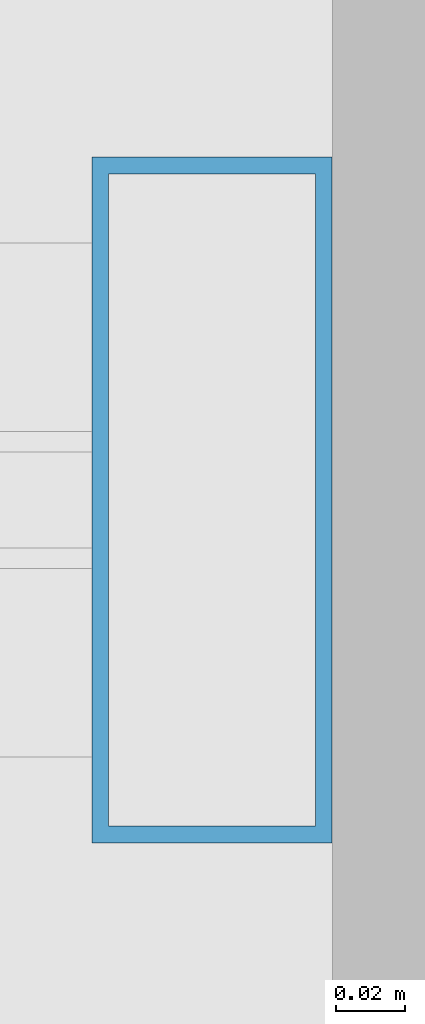
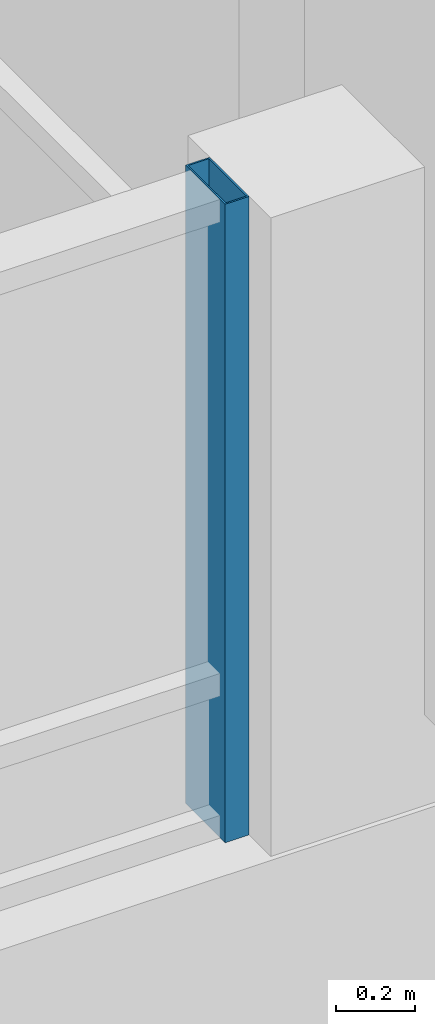
# One storey, part 61 of 189: 1 member, 1 element without a shape of its own.
"""IFC4 building model written with IfcOpenShell, lengths in metres."""

import ifcopenshell
import ifcopenshell.guid

model = None  # the IFC model being written
_history = None  # IfcOwnerHistory: only IFC2X3 demands one
_inside = {}  # id of a spatial element -> (the spatial element, [elements in it])
_under = {}  # id of a project, library or spatial element -> (it, [spatial elements below it])
_declared = {}  # id of a project -> (the project, [libraries it declares])
_typed = {}  # id of a type object -> (the type object, [elements of that type])
_made_of = {}  # id of a material, layer set ... -> (it, [elements and type objects made of it])


def new_model(schema):
    """Start an empty IFC model of exactly this schema.

    Asked for "IFC4X3", IfcOpenShell would pick the latest addendum, in which some entities
    have other attributes; the version numbers below select the first issue.
    IFC2X3 requires an IfcOwnerHistory on every rooted entity: one is made here for all.
    """
    global model, _history
    if schema == "IFC4X3":
        model = ifcopenshell.file(schema_version=(4, 3, 0, 0))
    else:
        model = ifcopenshell.file(schema=schema)
    _inside.clear()
    _under.clear()
    _declared.clear()
    _typed.clear()
    _made_of.clear()
    _history = None
    if model.schema == "IFC2X3":
        org = make("IfcOrganization", Name="unknown")
        user = make(
            "IfcPersonAndOrganization",
            ThePerson=make("IfcPerson", FamilyName="unknown"),
            TheOrganization=org,
        )
        app = make(
            "IfcApplication",
            ApplicationDeveloper=org,
            Version="unknown",
            ApplicationFullName="unknown",
            ApplicationIdentifier="unknown",
        )
        _history = make(
            "IfcOwnerHistory",
            OwningUser=user,
            OwningApplication=app,
            ChangeAction="ADDED",
            CreationDate=0,
        )
    return model


def make(cls, **values):
    """One entity of the class cls with the attributes given. An attribute that is None is left unset."""
    return model.create_entity(
        cls, **{name: value for name, value in values.items() if value is not None}
    )


def rooted(cls, **values):
    """An entity with a GlobalId (a new one), such as an element, a storey or a relation."""
    return make(cls, GlobalId=ifcopenshell.guid.new(), OwnerHistory=_history, **values)


def si_unit(unit_type, name, prefix=None):
    """IfcSIUnit, for example si_unit("LENGTHUNIT", "METRE", prefix="MILLI")."""
    return make("IfcSIUnit", UnitType=unit_type, Prefix=prefix, Name=name)


def assignment(units):
    """IfcUnitAssignment: the units of a project."""
    return None if units is None else make("IfcUnitAssignment", Units=units)


def point(xyz):
    """IfcCartesianPoint."""
    return None if xyz is None else make("IfcCartesianPoint", Coordinates=xyz)


def direction(xyz):
    """IfcDirection."""
    return None if xyz is None else make("IfcDirection", DirectionRatios=xyz)


def frame(location, z_axis=None, x_axis=None):
    """IfcAxis2Placement3D, a coordinate frame: its origin and axes. An axis left out is left unset."""
    return make(
        "IfcAxis2Placement3D",
        Location=point(location),
        Axis=direction(z_axis),
        RefDirection=direction(x_axis),
    )


def frame_2d(location, x_axis=None):
    """IfcAxis2Placement2D, a coordinate frame in the plane: its origin and x axis."""
    return make(
        "IfcAxis2Placement2D", Location=point(location), RefDirection=direction(x_axis)
    )


def origin():
    """The frame at (0, 0, 0) with its axes left unset."""
    return frame((0.0, 0.0, 0.0))


def origin_2d():
    """The frame at (0, 0) in the plane with its x axis left unset."""
    return frame_2d((0.0, 0.0))


def place(relative_to, where):
    """IfcLocalPlacement: puts the frame where relative to a parent placement (None: the world)."""
    return make(
        "IfcLocalPlacement", PlacementRelTo=relative_to, RelativePlacement=where
    )


def context(
    kind, dimensions, precision=None, world=None, true_north=None, identifier=None
):
    """IfcGeometricRepresentationContext, for example the 3D "Model" context."""
    return make(
        "IfcGeometricRepresentationContext",
        ContextIdentifier=identifier,
        ContextType=kind,
        CoordinateSpaceDimension=dimensions,
        Precision=precision,
        WorldCoordinateSystem=world,
        TrueNorth=true_north,
    )


def subcontext(parent, identifier, kind, view, scale=None):
    """IfcGeometricRepresentationSubContext, for example "Body" below "Model"."""
    return make(
        "IfcGeometricRepresentationSubContext",
        ContextIdentifier=identifier,
        ContextType=kind,
        ParentContext=parent,
        TargetScale=scale,
        TargetView=view,
    )


def project(units=None, contexts=None):
    """IfcProject with its units and contexts."""
    return rooted(
        "IfcProject",
        Name="project",
        RepresentationContexts=contexts,
        UnitsInContext=assignment(units),
    )


def spatial(cls, under=None, at=None, **own):
    """A site, building, storey or space (cls), placed at a placement, below another one or the project."""
    s = rooted(cls, ObjectPlacement=at, **own)
    if under is not None:
        _under.setdefault(under.id(), (under, []))[1].append(s)
    return s


def profile(cls, at=None, kind="AREA", **sizes):
    """A parametric profile (cls). Its sizes go by their IFC names, for example OverallWidth=200.0."""
    return make(cls, ProfileType=kind, Position=at, **sizes)


def hollow_rectangle(**sizes):
    """IfcRectangleHollowProfileDef."""
    return profile("IfcRectangleHollowProfileDef", **sizes)


def extrude(swept, where, along, depth):
    """IfcExtrudedAreaSolid: the profile swept, set in the frame where, extruded along a direction by depth."""
    return make(
        "IfcExtrudedAreaSolid",
        SweptArea=swept,
        Position=where,
        ExtrudedDirection=direction(along),
        Depth=depth,
    )


def shape(context_of_items, identifier, shape_type, items):
    """IfcShapeRepresentation: the items that make up one representation, for example the "Body"."""
    return make(
        "IfcShapeRepresentation",
        ContextOfItems=context_of_items,
        RepresentationIdentifier=identifier,
        RepresentationType=shape_type,
        Items=items,
    )


def material(Name=None, Category=None):
    """IfcMaterial."""
    return make("IfcMaterial", Name=Name, Category=Category)


def material_profile(
    of_material, cross_section, Name=None, Category=None, Priority=None
):
    """IfcMaterialProfile: a cross section and its material."""
    return make(
        "IfcMaterialProfile",
        Name=Name,
        Material=of_material,
        Profile=cross_section,
        Priority=Priority,
        Category=Category,
    )


def profile_set(profiles, Name=None, composite=None):
    """IfcMaterialProfileSet."""
    return make(
        "IfcMaterialProfileSet",
        Name=Name,
        MaterialProfiles=profiles,
        CompositeProfile=composite,
    )


def made_of(thing, what):
    """Note that an element or type object is made of a material, layer set ...; save() writes the relation."""
    if what is not None:
        _made_of.setdefault(what.id(), (what, []))[1].append(thing)
    return thing


def type_object(cls, material=None, **own):
    """A type object (cls), such as IfcWallType, which elements share."""
    return made_of(rooted(cls, **own), material)


def element(
    cls,
    number,
    at=None,
    inside=None,
    cuts=None,
    type_object=None,
    material=None,
    context=None,
    identifier="Body",
    shape_type=None,
    held_by="IfcProductDefinitionShape",
    body=None,
    shapes=None,
    **own,
):
    """One element of the class cls, such as IfcWall. Its Tag is "e" and its number.

    at: its placement. inside: the storey or other place that contains it. cuts: it is an
    opening in that element (IfcRelVoidsElement). A single representation is given by context,
    identifier, shape_type and body (its items); several are given by shapes. held_by: the class
    of the entity that holds the representations. save() writes the other relations.
    """
    e = rooted(cls, Tag="e%d" % number, ObjectPlacement=at, **own)
    if body is not None:
        shapes = [shape(context, identifier, shape_type, body)]
    if shapes is not None:
        e.Representation = make(held_by, Representations=shapes)
    if inside is not None:
        _inside.setdefault(inside.id(), (inside, []))[1].append(e)
    if cuts is not None:
        rooted(
            "IfcRelVoidsElement", RelatingBuildingElement=cuts, RelatedOpeningElement=e
        )
    if type_object is not None:
        _typed.setdefault(type_object.id(), (type_object, []))[1].append(e)
    return made_of(e, material)


def aggregate(whole, parts):
    """IfcRelAggregates: a whole, such as a stair, and the parts it consists of."""
    return rooted("IfcRelAggregates", RelatingObject=whole, RelatedObjects=parts)


def save(model, path):
    """Write the relations noted so far, then the file.

    IfcRelAggregates (storeys below a building ...), IfcRelContainedInSpatialStructure (elements
    in a storey), IfcRelDefinesByType, IfcRelAssociatesMaterial and IfcRelDeclares: one each for
    every whole, place, type object, material and project.
    """
    for whole, parts in _under.values():
        aggregate(whole, parts)
    for where, things in _inside.values():
        rooted(
            "IfcRelContainedInSpatialStructure",
            RelatedElements=things,
            RelatingStructure=where,
        )
    for kind, things in _typed.values():
        rooted("IfcRelDefinesByType", RelatedObjects=things, RelatingType=kind)
    for what, things in _made_of.values():
        rooted("IfcRelAssociatesMaterial", RelatedObjects=things, RelatingMaterial=what)
    for by, libraries in _declared.values():
        rooted("IfcRelDeclares", RelatingContext=by, RelatedDefinitions=libraries)
    model.write(path)


model = new_model("IFC4")

# Units and contexts
model_context = context("Model", 3, precision=1e-05, world=origin(), true_north=direction((0.0, 1.0)))
body_context = subcontext(model_context, "Body", "Model", "MODEL_VIEW")
ifc_project = project(units=[si_unit("LENGTHUNIT", "METRE"), si_unit("AREAUNIT", "SQUARE_METRE"), si_unit("VOLUMEUNIT", "CUBIC_METRE"), si_unit("PLANEANGLEUNIT", "RADIAN"), si_unit("MASSUNIT", "GRAM", prefix="KILO")], contexts=[model_context])

# Site, building, storey
site_placement = place(None, origin())
site = spatial("IfcSite", under=ifc_project, at=site_placement, CompositionType="ELEMENT")
building_placement = place(site_placement, origin())
building = spatial("IfcBuilding", under=site, at=building_placement, Name="Zavelmont Quarter", CompositionType="ELEMENT")
storey_placement = place(building_placement, frame((0.0, 0.0, 4.39990234375)))
storey = spatial("IfcBuildingStorey", under=building, at=storey_placement, Name="L01", CompositionType="ELEMENT", Elevation=4.39990234375)

# Curtain wall, member
ifc_material_1 = material(Name="Thermally broken aluminium and double low-E safety glazing", Category="aluminium")
curtain_wall_type = type_object("IfcCurtainWallType", Name="CW-580X198", PredefinedType="NOTDEFINED", material=ifc_material_1)
curtain_wall_placement = place(storey_placement, origin())
curtain_wall = element("IfcCurtainWall", 1, at=curtain_wall_placement, inside=storey, type_object=curtain_wall_type, Name="L01 unitised curtain wall CW-580X198", PredefinedType="NOTDEFINED")
ifc_material_2 = material(Name="Powder-coated aluminium EN AW-6063-T6", Category="aluminium")
ifc_material_profile = material_profile(ifc_material_2, hollow_rectangle(XDim=0.070068359375, YDim=0.199951171875, WallThickness=0.0048828125, at=origin_2d()), Name="CWM70X200")
ifc_profile_set = profile_set([ifc_material_profile], Name="Powder-coated aluminium EN AW-6063-T6")
member_type = type_object("IfcMemberType", Name="CWM02", PredefinedType="MULLION", material=ifc_profile_set)
member_placement = place(storey_placement, frame((112.06494140625, 30.0, -0.27978515625), z_axis=(0.0, 0.0, 1.0), x_axis=(1.0, 0.0, 0.0)))
member = element("IfcMember", 2, at=member_placement, type_object=member_type, Name="CW-580X198 mullion 4", PredefinedType="MULLION", context=body_context, shape_type="SweptSolid", body=[
    extrude(hollow_rectangle(XDim=0.070068359375, YDim=0.199951171875, WallThickness=0.0048828125, at=origin_2d()), origin(), (0.0, 0.0, 1.0), 1.974853515625),
])
aggregate(curtain_wall, [member])

save(model, "model.ifc")
